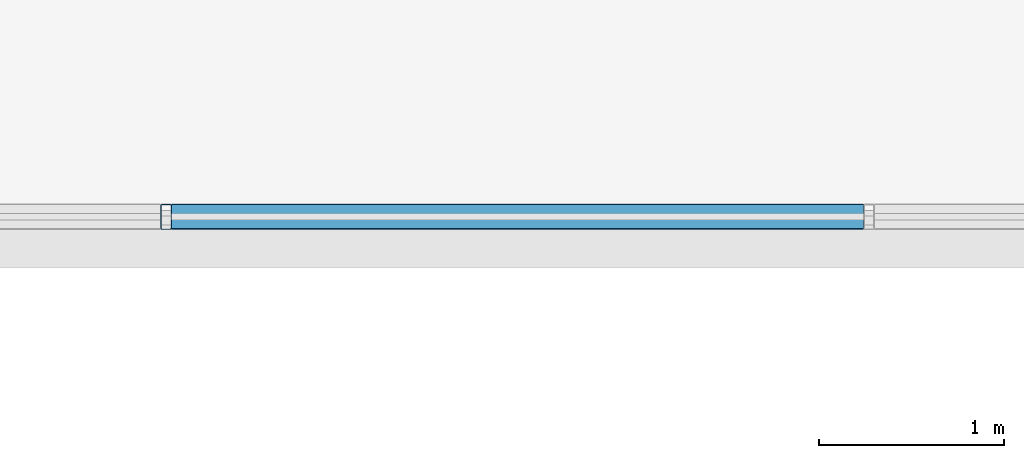
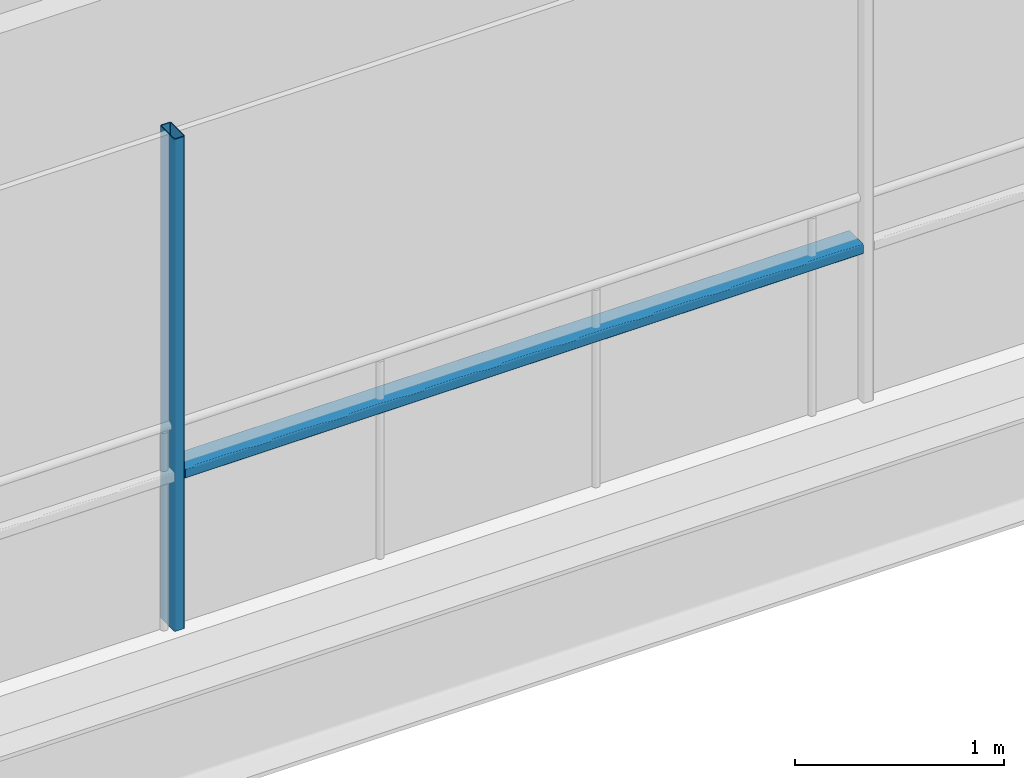
# One storey, part 11 of 41: 2 members, 1 element without a shape of its own.
"""IFC4 building model written with IfcOpenShell, lengths in metres."""

from ifc_helpers import new_model, si_unit, direction, frame, origin, origin_2d, place, context, subcontext, project, spatial, hollow_rectangle, extrude, material, layer, layer_set, material_profile, profile_set, type_object, element, aggregate, save


model = new_model("IFC4")

# Units and contexts
model_context = context("Model", 3, precision=1e-05, world=origin(), true_north=direction((0.0, 1.0)))
body_context = subcontext(model_context, "Body", "Model", "MODEL_VIEW")
ifc_project = project(units=[si_unit("LENGTHUNIT", "METRE"), si_unit("AREAUNIT", "SQUARE_METRE"), si_unit("VOLUMEUNIT", "CUBIC_METRE"), si_unit("PLANEANGLEUNIT", "RADIAN"), si_unit("MASSUNIT", "GRAM", prefix="KILO")], contexts=[model_context])

# Site, building, storey
site_placement = place(None, origin())
site = spatial("IfcSite", under=ifc_project, at=site_placement, CompositionType="ELEMENT")
building_placement = place(site_placement, origin())
building = spatial("IfcBuilding", under=site, at=building_placement, Name="Brevholm Reach", CompositionType="ELEMENT")
storey_placement = place(building_placement, frame((0.0, 0.0, 43.5)))
storey = spatial("IfcBuildingStorey", under=building, at=storey_placement, Name="L11", CompositionType="ELEMENT", Elevation=43.5)

# Curtain wall, members
ifc_material_1 = material(Name="Dark Anodised Aluminium 6063-T6 and Solar-Control Glass", Category="aluminium")
ifc_layer = layer(ifc_material_1, 0.139892578125)
ifc_layer_set = layer_set([ifc_layer], Name="Dark Anodised Aluminium 6063-T6 and Solar-Control Glass")
curtain_wall_type = type_object("IfcCurtainWallType", Name="CW-02", PredefinedType="NOTDEFINED", material=ifc_layer_set)
curtain_wall_placement = place(storey_placement, origin())
curtain_wall = element("IfcCurtainWall", 1, at=curtain_wall_placement, inside=storey, type_object=curtain_wall_type, Name="L11 Curtain Wall CW-02", PredefinedType="NOTDEFINED")
ifc_material_2 = material(Name="Dark Anodised Aluminium 6063-T6", Category="aluminium")
ifc_material_profile_1 = material_profile(ifc_material_2, hollow_rectangle(XDim=0.06005859375, YDim=0.139892578125, WallThickness=0.0048828125, InnerFilletRadius=0.0048828125, OuterFilletRadius=0.010009765625, at=origin_2d()), Name="RHS 140x60x5")
ifc_profile_set_1 = profile_set([ifc_material_profile_1], Name="Dark Anodised Aluminium 6063-T6")
member_type_1 = type_object("IfcMemberType", Name="CWM-140", PredefinedType="MULLION", material=ifc_profile_set_1)
member_1_placement = place(storey_placement, frame((30.050048828125, 26.6201171875, 0.0), z_axis=(0.0, 0.0, 1.0), x_axis=(-1.0, 0.0, 0.0)))
member_1 = element("IfcMember", 2, at=member_1_placement, type_object=member_type_1, Name="CM-140 Mullion 3", PredefinedType="MULLION", context=body_context, shape_type="SweptSolid", body=[
    extrude(hollow_rectangle(XDim=0.06005859375, YDim=0.139892578125, WallThickness=0.0048828125, InnerFilletRadius=0.0048828125, OuterFilletRadius=0.010009765625, at=origin_2d()), origin(), (0.0, 0.0, 1.0), 2.8701171875),
])
ifc_material_3 = material(Name="Dark Anodised Aluminium 6063-T6", Category="aluminium")
ifc_material_profile_2 = material_profile(ifc_material_3, hollow_rectangle(XDim=0.06005859375, YDim=0.139892578125, WallThickness=0.0048828125, InnerFilletRadius=0.0048828125, OuterFilletRadius=0.010009765625, at=origin_2d()), Name="RHS 140x60x5")
ifc_profile_set_2 = profile_set([ifc_material_profile_2], Name="Dark Anodised Aluminium 6063-T6")
member_type_2 = type_object("IfcMemberType", Name="CWT-140", PredefinedType="NOTDEFINED", material=ifc_profile_set_2)
member_2_placement = place(storey_placement, frame((33.820068359375, 26.6201171875, 0.89990234375), z_axis=(-1.0, 0.0, 0.0), x_axis=(0.0, 0.0, 1.0)))
member_2 = element("IfcMember", 3, at=member_2_placement, type_object=member_type_2, Name="CT-140 Transom 2.1", ObjectType="TRANSOM", PredefinedType="USERDEFINED", context=body_context, shape_type="SweptSolid", body=[
    extrude(hollow_rectangle(XDim=0.06005859375, YDim=0.139892578125, WallThickness=0.0048828125, InnerFilletRadius=0.0048828125, OuterFilletRadius=0.010009765625, at=origin_2d()), origin(), (0.0, 0.0, 1.0), 3.739990234375),
])
aggregate(curtain_wall, [member_1, member_2])

save(model, "model.ifc")
